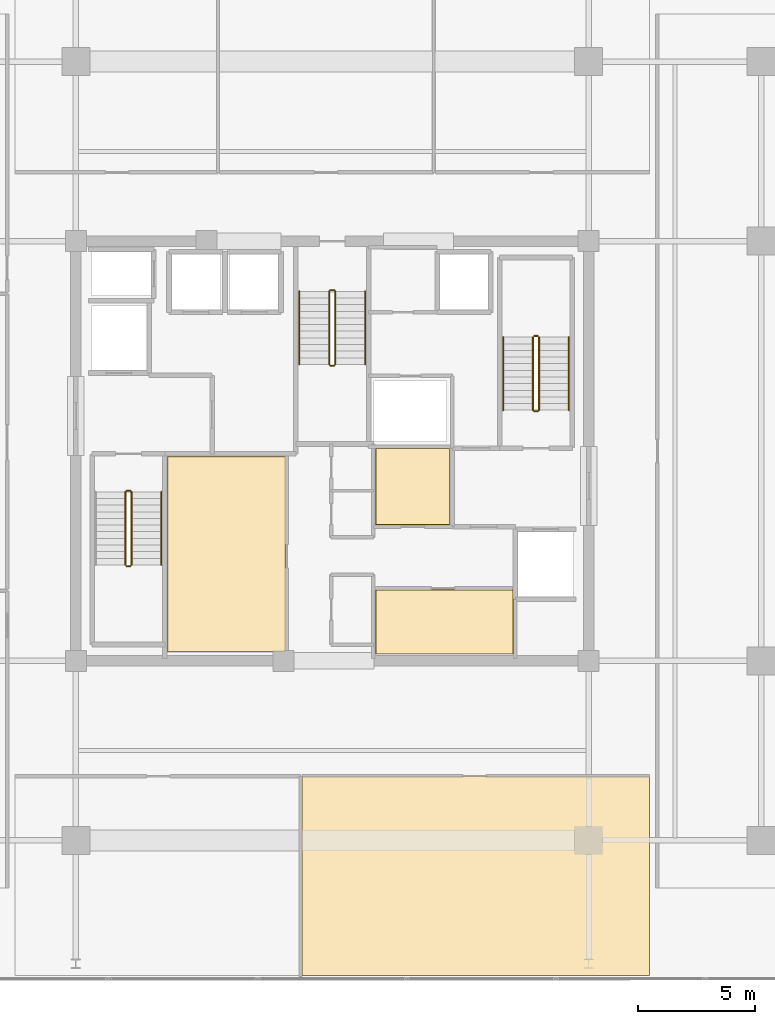
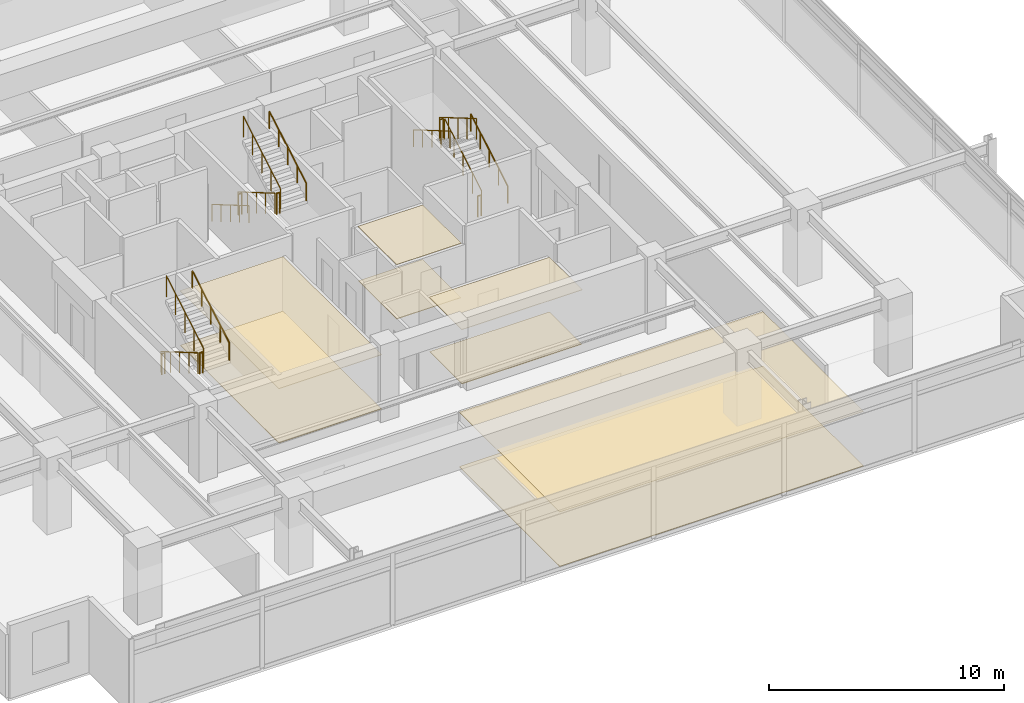
# One storey, part 17 of 18: 17 railings, 8 coverings.
"""IFC4 building model written with IfcOpenShell, lengths in metres."""

import ifcopenshell
import ifcopenshell.guid

model = None  # the IFC model being written
_history = None  # IfcOwnerHistory: only IFC2X3 demands one
_inside = {}  # id of a spatial element -> (the spatial element, [elements in it])
_under = {}  # id of a project, library or spatial element -> (it, [spatial elements below it])
_declared = {}  # id of a project -> (the project, [libraries it declares])
_typed = {}  # id of a type object -> (the type object, [elements of that type])
_made_of = {}  # id of a material, layer set ... -> (it, [elements and type objects made of it])


def new_model(schema):
    """Start an empty IFC model of exactly this schema.

    Asked for "IFC4X3", IfcOpenShell would pick the latest addendum, in which some entities
    have other attributes; the version numbers below select the first issue.
    IFC2X3 requires an IfcOwnerHistory on every rooted entity: one is made here for all.
    """
    global model, _history
    if schema == "IFC4X3":
        model = ifcopenshell.file(schema_version=(4, 3, 0, 0))
    else:
        model = ifcopenshell.file(schema=schema)
    _inside.clear()
    _under.clear()
    _declared.clear()
    _typed.clear()
    _made_of.clear()
    _history = None
    if model.schema == "IFC2X3":
        org = make("IfcOrganization", Name="unknown")
        user = make(
            "IfcPersonAndOrganization",
            ThePerson=make("IfcPerson", FamilyName="unknown"),
            TheOrganization=org,
        )
        app = make(
            "IfcApplication",
            ApplicationDeveloper=org,
            Version="unknown",
            ApplicationFullName="unknown",
            ApplicationIdentifier="unknown",
        )
        _history = make(
            "IfcOwnerHistory",
            OwningUser=user,
            OwningApplication=app,
            ChangeAction="ADDED",
            CreationDate=0,
        )
    return model


def make(cls, **values):
    """One entity of the class cls with the attributes given. An attribute that is None is left unset."""
    return model.create_entity(
        cls, **{name: value for name, value in values.items() if value is not None}
    )


def rooted(cls, **values):
    """An entity with a GlobalId (a new one), such as an element, a storey or a relation."""
    return make(cls, GlobalId=ifcopenshell.guid.new(), OwnerHistory=_history, **values)


def si_unit(unit_type, name, prefix=None):
    """IfcSIUnit, for example si_unit("LENGTHUNIT", "METRE", prefix="MILLI")."""
    return make("IfcSIUnit", UnitType=unit_type, Prefix=prefix, Name=name)


def assignment(units):
    """IfcUnitAssignment: the units of a project."""
    return None if units is None else make("IfcUnitAssignment", Units=units)


def point(xyz):
    """IfcCartesianPoint."""
    return None if xyz is None else make("IfcCartesianPoint", Coordinates=xyz)


def direction(xyz):
    """IfcDirection."""
    return None if xyz is None else make("IfcDirection", DirectionRatios=xyz)


def frame(location, z_axis=None, x_axis=None):
    """IfcAxis2Placement3D, a coordinate frame: its origin and axes. An axis left out is left unset."""
    return make(
        "IfcAxis2Placement3D",
        Location=point(location),
        Axis=direction(z_axis),
        RefDirection=direction(x_axis),
    )


def frame_2d(location, x_axis=None):
    """IfcAxis2Placement2D, a coordinate frame in the plane: its origin and x axis."""
    return make(
        "IfcAxis2Placement2D", Location=point(location), RefDirection=direction(x_axis)
    )


def origin():
    """The frame at (0, 0, 0) with its axes left unset."""
    return frame((0.0, 0.0, 0.0))


def origin_2d():
    """The frame at (0, 0) in the plane with its x axis left unset."""
    return frame_2d((0.0, 0.0))


def place(relative_to, where):
    """IfcLocalPlacement: puts the frame where relative to a parent placement (None: the world)."""
    return make(
        "IfcLocalPlacement", PlacementRelTo=relative_to, RelativePlacement=where
    )


def context(
    kind, dimensions, precision=None, world=None, true_north=None, identifier=None
):
    """IfcGeometricRepresentationContext, for example the 3D "Model" context."""
    return make(
        "IfcGeometricRepresentationContext",
        ContextIdentifier=identifier,
        ContextType=kind,
        CoordinateSpaceDimension=dimensions,
        Precision=precision,
        WorldCoordinateSystem=world,
        TrueNorth=true_north,
    )


def subcontext(parent, identifier, kind, view, scale=None):
    """IfcGeometricRepresentationSubContext, for example "Body" below "Model"."""
    return make(
        "IfcGeometricRepresentationSubContext",
        ContextIdentifier=identifier,
        ContextType=kind,
        ParentContext=parent,
        TargetScale=scale,
        TargetView=view,
    )


def project(units=None, contexts=None):
    """IfcProject with its units and contexts."""
    return rooted(
        "IfcProject",
        Name="project",
        RepresentationContexts=contexts,
        UnitsInContext=assignment(units),
    )


def spatial(cls, under=None, at=None, **own):
    """A site, building, storey or space (cls), placed at a placement, below another one or the project."""
    s = rooted(cls, ObjectPlacement=at, **own)
    if under is not None:
        _under.setdefault(under.id(), (under, []))[1].append(s)
    return s


def polyline(points):
    """IfcPolyline through the points."""
    return make("IfcPolyline", Points=[point(p) for p in points])


def profile(cls, at=None, kind="AREA", **sizes):
    """A parametric profile (cls). Its sizes go by their IFC names, for example OverallWidth=200.0."""
    return make(cls, ProfileType=kind, Position=at, **sizes)


def circle(**sizes):
    """IfcCircleProfileDef."""
    return profile("IfcCircleProfileDef", **sizes)


def outline(outer, holes=None, kind="AREA"):
    """IfcArbitraryClosedProfileDef: a profile drawn as a closed curve; with holes, ...WithVoids."""
    if holes is None:
        return make("IfcArbitraryClosedProfileDef", ProfileType=kind, OuterCurve=outer)
    return make(
        "IfcArbitraryProfileDefWithVoids",
        ProfileType=kind,
        OuterCurve=outer,
        InnerCurves=holes,
    )


def extrude(swept, where, along, depth):
    """IfcExtrudedAreaSolid: the profile swept, set in the frame where, extruded along a direction by depth."""
    return make(
        "IfcExtrudedAreaSolid",
        SweptArea=swept,
        Position=where,
        ExtrudedDirection=direction(along),
        Depth=depth,
    )


def shape(context_of_items, identifier, shape_type, items):
    """IfcShapeRepresentation: the items that make up one representation, for example the "Body"."""
    return make(
        "IfcShapeRepresentation",
        ContextOfItems=context_of_items,
        RepresentationIdentifier=identifier,
        RepresentationType=shape_type,
        Items=items,
    )


def material(Name=None, Category=None):
    """IfcMaterial."""
    return make("IfcMaterial", Name=Name, Category=Category)


def layer(
    of_material, thickness, ventilated=None, Name=None, Category=None, Priority=None
):
    """IfcMaterialLayer: one layer of a wall or slab, of a material (None: an air gap)."""
    return make(
        "IfcMaterialLayer",
        Material=of_material,
        LayerThickness=thickness,
        IsVentilated=ventilated,
        Name=Name,
        Category=Category,
        Priority=Priority,
    )


def layer_set(layers, Name=None):
    """IfcMaterialLayerSet."""
    return make("IfcMaterialLayerSet", MaterialLayers=layers, LayerSetName=Name)


def made_of(thing, what):
    """Note that an element or type object is made of a material, layer set ...; save() writes the relation."""
    if what is not None:
        _made_of.setdefault(what.id(), (what, []))[1].append(thing)
    return thing


def type_object(cls, material=None, **own):
    """A type object (cls), such as IfcWallType, which elements share."""
    return made_of(rooted(cls, **own), material)


def element(
    cls,
    number,
    at=None,
    inside=None,
    cuts=None,
    type_object=None,
    material=None,
    context=None,
    identifier="Body",
    shape_type=None,
    held_by="IfcProductDefinitionShape",
    body=None,
    shapes=None,
    **own,
):
    """One element of the class cls, such as IfcWall. Its Tag is "e" and its number.

    at: its placement. inside: the storey or other place that contains it. cuts: it is an
    opening in that element (IfcRelVoidsElement). A single representation is given by context,
    identifier, shape_type and body (its items); several are given by shapes. held_by: the class
    of the entity that holds the representations. save() writes the other relations.
    """
    e = rooted(cls, Tag="e%d" % number, ObjectPlacement=at, **own)
    if body is not None:
        shapes = [shape(context, identifier, shape_type, body)]
    if shapes is not None:
        e.Representation = make(held_by, Representations=shapes)
    if inside is not None:
        _inside.setdefault(inside.id(), (inside, []))[1].append(e)
    if cuts is not None:
        rooted(
            "IfcRelVoidsElement", RelatingBuildingElement=cuts, RelatedOpeningElement=e
        )
    if type_object is not None:
        _typed.setdefault(type_object.id(), (type_object, []))[1].append(e)
    return made_of(e, material)


def aggregate(whole, parts):
    """IfcRelAggregates: a whole, such as a stair, and the parts it consists of."""
    return rooted("IfcRelAggregates", RelatingObject=whole, RelatedObjects=parts)


def save(model, path):
    """Write the relations noted so far, then the file.

    IfcRelAggregates (storeys below a building ...), IfcRelContainedInSpatialStructure (elements
    in a storey), IfcRelDefinesByType, IfcRelAssociatesMaterial and IfcRelDeclares: one each for
    every whole, place, type object, material and project.
    """
    for whole, parts in _under.values():
        aggregate(whole, parts)
    for where, things in _inside.values():
        rooted(
            "IfcRelContainedInSpatialStructure",
            RelatedElements=things,
            RelatingStructure=where,
        )
    for kind, things in _typed.values():
        rooted("IfcRelDefinesByType", RelatedObjects=things, RelatingType=kind)
    for what, things in _made_of.values():
        rooted("IfcRelAssociatesMaterial", RelatedObjects=things, RelatingMaterial=what)
    for by, libraries in _declared.values():
        rooted("IfcRelDeclares", RelatingContext=by, RelatedDefinitions=libraries)
    model.write(path)


model = new_model("IFC4")

# Units and contexts
model_context = context("Model", 3, precision=1e-05, world=origin(), true_north=direction((0.0, 1.0)))
body_context = subcontext(model_context, "Body", "Model", "MODEL_VIEW")
ifc_project = project(units=[si_unit("LENGTHUNIT", "METRE"), si_unit("AREAUNIT", "SQUARE_METRE"), si_unit("VOLUMEUNIT", "CUBIC_METRE"), si_unit("PLANEANGLEUNIT", "RADIAN"), si_unit("MASSUNIT", "GRAM", prefix="KILO")], contexts=[model_context])

# Site, building, storey
site_placement = place(None, origin())
site = spatial("IfcSite", under=ifc_project, at=site_placement, CompositionType="ELEMENT")
building_placement = place(site_placement, origin())
building = spatial("IfcBuilding", under=site, at=building_placement, Name="Kovane Verandah Tower", CompositionType="ELEMENT")
storey_placement = place(building_placement, frame((0.0, 0.0, 251.199951171875)))
storey = spatial("IfcBuildingStorey", under=building, at=storey_placement, Name="L58", CompositionType="ELEMENT", Elevation=251.199951171875)

# Coverings
ifc_material_1 = material(Name="Perforated Acoustic Mineral-Fibre Ceiling Tile", Category="gypsum")
ifc_layer_1 = layer(ifc_material_1, 0.02490234375)
ifc_layer_set_1 = layer_set([ifc_layer_1], Name="Perforated Acoustic Mineral-Fibre Ceiling Tile")
covering_type_1 = type_object("IfcCoveringType", Name="CV-CEIL-25", PredefinedType="CEILING", material=ifc_layer_set_1)
covering_1_placement = place(storey_placement, frame((0.0, 0.0, 2.824951171875)))
element("IfcCovering", 1, at=covering_1_placement, inside=storey, type_object=covering_type_1, Name="L58 Tenant Wellness and Archive Suite Acoustic Ceiling", PredefinedType="CEILING", context=body_context, shape_type="SweptSolid", body=[
    extrude(outline(polyline([(32.93505859375, 18.885009765625), (37.9951171875, 18.885009765625), (37.9951171875, 27.264892578125), (32.93505859375, 27.264892578125), (32.93505859375, 18.885009765625)])), origin(), (0.0, 0.0, 1.0), 0.025146484375),
])
covering_2_placement = place(storey_placement, frame((0.0, 0.0, 2.824951171875)))
element("IfcCovering", 2, at=covering_2_placement, inside=storey, type_object=covering_type_1, Name="L58 Records Vault Room Acoustic Ceiling", PredefinedType="CEILING", context=body_context, shape_type="SweptSolid", body=[
    extrude(outline(polyline([(41.864990234375, 18.784912109375), (47.764892578125, 18.784912109375), (47.764892578125, 21.56494140625), (41.864990234375, 21.56494140625), (41.864990234375, 18.784912109375)])), origin(), (0.0, 0.0, 1.0), 0.025146484375),
])
covering_3_placement = place(storey_placement, frame((0.0, 0.0, 2.824951171875)))
element("IfcCovering", 3, at=covering_3_placement, inside=storey, type_object=covering_type_1, Name="L58 Document Archive Room Acoustic Ceiling", PredefinedType="CEILING", context=body_context, shape_type="SweptSolid", body=[
    extrude(outline(polyline([(41.864990234375, 24.3349609375), (45.034912109375, 24.3349609375), (45.034912109375, 27.614990234375), (41.864990234375, 27.614990234375), (41.864990234375, 24.3349609375)])), origin(), (0.0, 0.0, 1.0), 0.025146484375),
])
covering_4_placement = place(storey_placement, frame((0.0, 0.0, 2.824951171875)))
element("IfcCovering", 4, at=covering_4_placement, inside=storey, type_object=covering_type_1, Name="L58 Open Plan Office S2 Acoustic Ceiling", PredefinedType="CEILING", context=body_context, shape_type="SweptSolid", body=[
    extrude(outline(polyline([(38.7099609375, 5.012451171875), (53.60009765625, 5.012451171875), (53.60009765625, 13.550048828125), (38.7099609375, 13.550048828125), (38.7099609375, 5.012451171875)])), origin(), (0.0, 0.0, 1.0), 0.025146484375),
])
ifc_material_2 = material(Name="Polished Terrazzo and Raised-Access Carpet Tile Finish", Category="concrete")
ifc_layer_2 = layer(ifc_material_2, 0.030029296875)
ifc_layer_set_2 = layer_set([ifc_layer_2], Name="Polished Terrazzo and Raised-Access Carpet Tile Finish")
covering_type_2 = type_object("IfcCoveringType", Name="CV-FLOR-30", PredefinedType="FLOORING", material=ifc_layer_set_2)
covering_5_placement = place(storey_placement, origin())
element("IfcCovering", 5, at=covering_5_placement, inside=storey, type_object=covering_type_2, Name="L58 Tenant Wellness and Archive Suite Floor Finish", PredefinedType="FLOORING", context=body_context, shape_type="SweptSolid", body=[
    extrude(outline(polyline([(32.949951171875, 18.89990234375), (37.97998046875, 18.89990234375), (37.97998046875, 27.25), (32.949951171875, 27.25), (32.949951171875, 18.89990234375)])), origin(), (0.0, 0.0, 1.0), 0.030029296875),
])
covering_6_placement = place(storey_placement, origin())
element("IfcCovering", 6, at=covering_6_placement, inside=storey, type_object=covering_type_2, Name="L58 Records Vault Room Floor Finish", PredefinedType="FLOORING", context=body_context, shape_type="SweptSolid", body=[
    extrude(outline(polyline([(41.8798828125, 18.800048828125), (47.75, 18.800048828125), (47.75, 21.550048828125), (41.8798828125, 21.550048828125), (41.8798828125, 18.800048828125)])), origin(), (0.0, 0.0, 1.0), 0.030029296875),
])
covering_7_placement = place(storey_placement, origin())
element("IfcCovering", 7, at=covering_7_placement, inside=storey, type_object=covering_type_2, Name="L58 Document Archive Room Floor Finish", PredefinedType="FLOORING", context=body_context, shape_type="SweptSolid", body=[
    extrude(outline(polyline([(41.8798828125, 24.35009765625), (45.02001953125, 24.35009765625), (45.02001953125, 27.60009765625), (41.8798828125, 27.60009765625), (41.8798828125, 24.35009765625)])), origin(), (0.0, 0.0, 1.0), 0.030029296875),
])
covering_8_placement = place(storey_placement, origin())
element("IfcCovering", 8, at=covering_8_placement, inside=storey, type_object=covering_type_2, Name="L58 Open Plan Office S2 Floor Finish", PredefinedType="FLOORING", context=body_context, shape_type="SweptSolid", body=[
    extrude(outline(polyline([(38.7099609375, 5.012451171875), (53.60009765625, 5.012451171875), (53.60009765625, 13.550048828125), (38.7099609375, 13.550048828125), (38.7099609375, 5.012451171875)])), origin(), (0.0, 0.0, 1.0), 0.030029296875),
])

# Railings
ifc_material_3 = material(Name="Brushed Stainless Steel Handrail", Category="steel")
railing_type_1 = type_object("IfcRailingType", Name="RL-HAND-920", PredefinedType="HANDRAIL", material=ifc_material_3)
for number, where, name in (
    (9, (32.669921875, 22.614990234375, 2.166748046875), "L58 ST-01 stair handrail 2"),
    (10, (50.14990234375, 29.25, 0.166748046875), "L58 ST-02 stair handrail 1"),
):
    element("IfcRailing", number, at=place(storey_placement, frame(where)), inside=storey, type_object=railing_type_1, Name=name, PredefinedType="HANDRAIL", context=body_context, shape_type="SweptSolid", body=[
        extrude(circle(Radius=0.02392578125, at=origin_2d()), frame((0.0, 0.0, 0.8759765625), z_axis=(0.0, 0.863239559939, 0.504794475164), x_axis=(-1.0, 0.0, 0.0)), (0.0, 0.0, 1.0), 3.631591796875),
        extrude(circle(Radius=0.02099609375, at=origin_2d()), origin(), (0.0, 0.0, 1.0), 0.851806640625),
        extrude(circle(Radius=0.02099609375, at=origin_2d()), frame((0.0, 0.78369140625, 0.458251953125)), (0.0, 0.0, 1.0), 0.851806640625),
        extrude(circle(Radius=0.02099609375, at=origin_2d()), frame((0.0, 1.5673828125, 0.91650390625)), (0.0, 0.0, 1.0), 0.851806640625),
        extrude(circle(Radius=0.02099609375, at=origin_2d()), frame((0.0, 2.351318359375, 1.375)), (0.0, 0.0, 1.0), 0.851806640625),
        extrude(circle(Radius=0.02099609375, at=origin_2d()), frame((0.0, 3.135009765625, 1.833251953125)), (0.0, 0.0, 1.0), 0.851806640625),
    ])
for number, where, name in (
    (11, (47.330078125, 32.385009765625, 2.166748046875), "L58 ST-02 stair handrail 2"),
    (12, (38.590087890625, 34.35009765625, 0.166748046875), "L58 ST-03 stair handrail 1"),
):
    element("IfcRailing", number, at=place(storey_placement, frame(where)), inside=storey, type_object=railing_type_1, Name=name, PredefinedType="HANDRAIL", context=body_context, shape_type="SweptSolid", body=[
        extrude(circle(Radius=0.02392578125, at=origin_2d()), frame((0.0, 0.0, 0.8759765625), z_axis=(0.0, -0.863239559939, 0.504794475164), x_axis=(1.0, 0.0, 0.0)), (0.0, 0.0, 1.0), 3.631591796875),
        extrude(circle(Radius=0.02099609375, at=origin_2d()), origin(), (0.0, 0.0, 1.0), 0.851806640625),
        extrude(circle(Radius=0.02099609375, at=origin_2d()), frame((0.0, -0.78369140625, 0.458251953125)), (0.0, 0.0, 1.0), 0.851806640625),
        extrude(circle(Radius=0.02099609375, at=origin_2d()), frame((0.0, -1.5673828125, 0.91650390625)), (0.0, 0.0, 1.0), 0.851806640625),
        extrude(circle(Radius=0.02099609375, at=origin_2d()), frame((0.0, -2.351318359375, 1.375)), (0.0, 0.0, 1.0), 0.851806640625),
        extrude(circle(Radius=0.02099609375, at=origin_2d()), frame((0.0, -3.135009765625, 1.833251953125)), (0.0, 0.0, 1.0), 0.851806640625),
    ])
railing_1_placement = place(storey_placement, frame((41.409912109375, 31.215087890625, 2.166748046875)))
element("IfcRailing", 13, at=railing_1_placement, inside=storey, type_object=railing_type_1, Name="L58 ST-03 stair handrail 2", PredefinedType="HANDRAIL", context=body_context, shape_type="SweptSolid", body=[
    extrude(circle(Radius=0.02392578125, at=origin_2d()), frame((0.0, 0.0, 0.8759765625), z_axis=(0.0, 0.863239559939, 0.504794475164), x_axis=(-1.0, 0.0, 0.0)), (0.0, 0.0, 1.0), 3.631591796875),
    extrude(circle(Radius=0.02099609375, at=origin_2d()), origin(), (0.0, 0.0, 1.0), 0.851806640625),
    extrude(circle(Radius=0.02099609375, at=origin_2d()), frame((0.0, 0.78369140625, 0.458251953125)), (0.0, 0.0, 1.0), 0.851806640625),
    extrude(circle(Radius=0.02099609375, at=origin_2d()), frame((0.0, 1.5673828125, 0.91650390625)), (0.0, 0.0, 1.0), 0.851806640625),
    extrude(circle(Radius=0.02099609375, at=origin_2d()), frame((0.0, 2.351318359375, 1.375)), (0.0, 0.0, 1.0), 0.851806640625),
    extrude(circle(Radius=0.02099609375, at=origin_2d()), frame((0.0, 3.135009765625, 1.833251953125)), (0.0, 0.0, 1.0), 0.851806640625),
])
ifc_material_4 = material(Name="Painted Steel Stairwell Guardrail", Category="steel")
railing_type_2 = type_object("IfcRailingType", Name="RL-STGUARD-1120", PredefinedType="GUARDRAIL", material=ifc_material_4)
railing_2_placement = place(storey_placement, frame((31.1298828125, 25.75, 0.166748046875)))
element("IfcRailing", 14, at=railing_2_placement, inside=storey, type_object=railing_type_2, Name="L58 ST-01 stair guard 1", PredefinedType="GUARDRAIL", context=body_context, shape_type="SweptSolid", body=[
    extrude(circle(Radius=0.02392578125, at=origin_2d()), frame((0.0, 0.0, 1.076171875), z_axis=(0.0, -0.863239559939, 0.504794475164), x_axis=(1.0, 0.0, 0.0)), (0.0, 0.0, 1.0), 3.631591796875),
    extrude(circle(Radius=0.02099609375, at=origin_2d()), origin(), (0.0, 0.0, 1.0), 1.052001953125),
    extrude(circle(Radius=0.02099609375, at=origin_2d()), frame((0.0, -0.78369140625, 0.458251953125)), (0.0, 0.0, 1.0), 1.052001953125),
    extrude(circle(Radius=0.02099609375, at=origin_2d()), frame((0.0, -1.5673828125, 0.91650390625)), (0.0, 0.0, 1.0), 1.052001953125),
    extrude(circle(Radius=0.02099609375, at=origin_2d()), frame((0.0, -2.351318359375, 1.375)), (0.0, 0.0, 1.0), 1.052001953125),
    extrude(circle(Radius=0.02099609375, at=origin_2d()), frame((0.0, -3.135009765625, 1.833251953125)), (0.0, 0.0, 1.0), 1.052001953125),
])
railing_3_placement = place(storey_placement, frame((31.179931640625, 22.56494140625, 2.0)))
element("IfcRailing", 15, at=railing_3_placement, inside=storey, type_object=railing_type_2, Name="L58 ST-01 stair guard 2", PredefinedType="GUARDRAIL", context=body_context, shape_type="SweptSolid", body=[
    extrude(circle(Radius=0.02392578125, at=origin_2d()), frame((0.0, 0.0, 1.076171875), z_axis=(1.0, 0.0, 0.0), x_axis=(0.0, 1.0, 0.0)), (0.0, 0.0, 1.0), 0.16015625),
    extrude(circle(Radius=0.02099609375, at=origin_2d()), origin(), (0.0, 0.0, 1.0), 1.052001953125),
    extrude(circle(Radius=0.02099609375, at=origin_2d()), frame((0.16015625, 0.0, 0.0)), (0.0, 0.0, 1.0), 1.052001953125),
])
railing_4_placement = place(storey_placement, frame((31.389892578125, 22.614990234375, 2.166748046875)))
element("IfcRailing", 16, at=railing_4_placement, inside=storey, type_object=railing_type_2, Name="L58 ST-01 stair guard 3", PredefinedType="GUARDRAIL", context=body_context, shape_type="SweptSolid", body=[
    extrude(circle(Radius=0.02392578125, at=origin_2d()), frame((0.0, 0.0, 1.076171875), z_axis=(0.0, 0.863239559939, 0.504794475164), x_axis=(-1.0, 0.0, 0.0)), (0.0, 0.0, 1.0), 3.631591796875),
    extrude(circle(Radius=0.02099609375, at=origin_2d()), origin(), (0.0, 0.0, 1.0), 1.052001953125),
    extrude(circle(Radius=0.02099609375, at=origin_2d()), frame((0.0, 0.78369140625, 0.458251953125)), (0.0, 0.0, 1.0), 1.052001953125),
    extrude(circle(Radius=0.02099609375, at=origin_2d()), frame((0.0, 1.5673828125, 0.91650390625)), (0.0, 0.0, 1.0), 1.052001953125),
    extrude(circle(Radius=0.02099609375, at=origin_2d()), frame((0.0, 2.351318359375, 1.375)), (0.0, 0.0, 1.0), 1.052001953125),
    extrude(circle(Radius=0.02099609375, at=origin_2d()), frame((0.0, 3.135009765625, 1.833251953125)), (0.0, 0.0, 1.0), 1.052001953125),
])
railing_5_placement = place(storey_placement, frame((31.179931640625, 25.800048828125, 0.0)))
element("IfcRailing", 17, at=railing_5_placement, inside=storey, type_object=railing_type_2, Name="L58 ST-01 stair guard 4", PredefinedType="GUARDRAIL", context=body_context, shape_type="SweptSolid", body=[
    extrude(circle(Radius=0.02392578125, at=origin_2d()), frame((0.0, 0.0, 1.076171875), z_axis=(1.0, 0.0, 0.0), x_axis=(0.0, 1.0, 0.0)), (0.0, 0.0, 1.0), 0.16015625),
    extrude(circle(Radius=0.02099609375, at=origin_2d()), origin(), (0.0, 0.0, 1.0), 1.052001953125),
    extrude(circle(Radius=0.02099609375, at=origin_2d()), frame((0.16015625, 0.0, 0.0)), (0.0, 0.0, 1.0), 1.052001953125),
])
railing_6_placement = place(storey_placement, frame((48.8701171875, 29.25, 0.166748046875)))
element("IfcRailing", 18, at=railing_6_placement, inside=storey, type_object=railing_type_2, Name="L58 ST-02 stair guard 1", PredefinedType="GUARDRAIL", context=body_context, shape_type="SweptSolid", body=[
    extrude(circle(Radius=0.02392578125, at=origin_2d()), frame((0.0, 0.0, 1.076171875), z_axis=(0.0, 0.863239559939, 0.504794475164), x_axis=(-1.0, 0.0, 0.0)), (0.0, 0.0, 1.0), 3.631591796875),
    extrude(circle(Radius=0.02099609375, at=origin_2d()), origin(), (0.0, 0.0, 1.0), 1.052001953125),
    extrude(circle(Radius=0.02099609375, at=origin_2d()), frame((0.0, 0.78369140625, 0.458251953125)), (0.0, 0.0, 1.0), 1.052001953125),
    extrude(circle(Radius=0.02099609375, at=origin_2d()), frame((0.0, 1.5673828125, 0.91650390625)), (0.0, 0.0, 1.0), 1.052001953125),
    extrude(circle(Radius=0.02099609375, at=origin_2d()), frame((0.0, 2.351318359375, 1.375)), (0.0, 0.0, 1.0), 1.052001953125),
    extrude(circle(Radius=0.02099609375, at=origin_2d()), frame((0.0, 3.135009765625, 1.833251953125)), (0.0, 0.0, 1.0), 1.052001953125),
])
railing_7_placement = place(storey_placement, frame((48.820068359375, 32.43505859375, 2.0)))
element("IfcRailing", 19, at=railing_7_placement, inside=storey, type_object=railing_type_2, Name="L58 ST-02 stair guard 2", PredefinedType="GUARDRAIL", context=body_context, shape_type="SweptSolid", body=[
    extrude(circle(Radius=0.02392578125, at=origin_2d()), frame((0.0, 0.0, 1.076171875), z_axis=(-1.0, 0.0, 0.0), x_axis=(0.0, -1.0, 0.0)), (0.0, 0.0, 1.0), 0.16015625),
    extrude(circle(Radius=0.02099609375, at=origin_2d()), origin(), (0.0, 0.0, 1.0), 1.052001953125),
    extrude(circle(Radius=0.02099609375, at=origin_2d()), frame((-0.16015625, 0.0, 0.0)), (0.0, 0.0, 1.0), 1.052001953125),
])
railing_8_placement = place(storey_placement, frame((48.610107421875, 32.385009765625, 2.166748046875)))
element("IfcRailing", 20, at=railing_8_placement, inside=storey, type_object=railing_type_2, Name="L58 ST-02 stair guard 3", PredefinedType="GUARDRAIL", context=body_context, shape_type="SweptSolid", body=[
    extrude(circle(Radius=0.02392578125, at=origin_2d()), frame((0.0, 0.0, 1.076171875), z_axis=(0.0, -0.863239559939, 0.504794475164), x_axis=(1.0, 0.0, 0.0)), (0.0, 0.0, 1.0), 3.631591796875),
    extrude(circle(Radius=0.02099609375, at=origin_2d()), origin(), (0.0, 0.0, 1.0), 1.052001953125),
    extrude(circle(Radius=0.02099609375, at=origin_2d()), frame((0.0, -0.78369140625, 0.458251953125)), (0.0, 0.0, 1.0), 1.052001953125),
    extrude(circle(Radius=0.02099609375, at=origin_2d()), frame((0.0, -1.5673828125, 0.91650390625)), (0.0, 0.0, 1.0), 1.052001953125),
    extrude(circle(Radius=0.02099609375, at=origin_2d()), frame((0.0, -2.351318359375, 1.375)), (0.0, 0.0, 1.0), 1.052001953125),
    extrude(circle(Radius=0.02099609375, at=origin_2d()), frame((0.0, -3.135009765625, 1.833251953125)), (0.0, 0.0, 1.0), 1.052001953125),
])
railing_9_placement = place(storey_placement, frame((48.820068359375, 29.199951171875, 0.0)))
element("IfcRailing", 21, at=railing_9_placement, inside=storey, type_object=railing_type_2, Name="L58 ST-02 stair guard 4", PredefinedType="GUARDRAIL", context=body_context, shape_type="SweptSolid", body=[
    extrude(circle(Radius=0.02392578125, at=origin_2d()), frame((0.0, 0.0, 1.076171875), z_axis=(-1.0, 0.0, 0.0), x_axis=(0.0, -1.0, 0.0)), (0.0, 0.0, 1.0), 0.16015625),
    extrude(circle(Radius=0.02099609375, at=origin_2d()), origin(), (0.0, 0.0, 1.0), 1.052001953125),
    extrude(circle(Radius=0.02099609375, at=origin_2d()), frame((-0.16015625, 0.0, 0.0)), (0.0, 0.0, 1.0), 1.052001953125),
])
railing_10_placement = place(storey_placement, frame((39.8701171875, 34.35009765625, 0.166748046875)))
element("IfcRailing", 22, at=railing_10_placement, inside=storey, type_object=railing_type_2, Name="L58 ST-03 stair guard 1", PredefinedType="GUARDRAIL", context=body_context, shape_type="SweptSolid", body=[
    extrude(circle(Radius=0.02392578125, at=origin_2d()), frame((0.0, 0.0, 1.076171875), z_axis=(0.0, -0.863239559939, 0.504794475164), x_axis=(1.0, 0.0, 0.0)), (0.0, 0.0, 1.0), 3.631591796875),
    extrude(circle(Radius=0.02099609375, at=origin_2d()), origin(), (0.0, 0.0, 1.0), 1.052001953125),
    extrude(circle(Radius=0.02099609375, at=origin_2d()), frame((0.0, -0.78369140625, 0.458251953125)), (0.0, 0.0, 1.0), 1.052001953125),
    extrude(circle(Radius=0.02099609375, at=origin_2d()), frame((0.0, -1.5673828125, 0.91650390625)), (0.0, 0.0, 1.0), 1.052001953125),
    extrude(circle(Radius=0.02099609375, at=origin_2d()), frame((0.0, -2.351318359375, 1.375)), (0.0, 0.0, 1.0), 1.052001953125),
    extrude(circle(Radius=0.02099609375, at=origin_2d()), frame((0.0, -3.135009765625, 1.833251953125)), (0.0, 0.0, 1.0), 1.052001953125),
])
railing_11_placement = place(storey_placement, frame((39.919921875, 31.1650390625, 2.0)))
element("IfcRailing", 23, at=railing_11_placement, inside=storey, type_object=railing_type_2, Name="L58 ST-03 stair guard 2", PredefinedType="GUARDRAIL", context=body_context, shape_type="SweptSolid", body=[
    extrude(circle(Radius=0.02392578125, at=origin_2d()), frame((0.0, 0.0, 1.076171875), z_axis=(1.0, 0.0, 0.0), x_axis=(0.0, 1.0, 0.0)), (0.0, 0.0, 1.0), 0.16015625),
    extrude(circle(Radius=0.02099609375, at=origin_2d()), origin(), (0.0, 0.0, 1.0), 1.052001953125),
    extrude(circle(Radius=0.02099609375, at=origin_2d()), frame((0.16015625, 0.0, 0.0)), (0.0, 0.0, 1.0), 1.052001953125),
])
railing_12_placement = place(storey_placement, frame((40.1298828125, 31.215087890625, 2.166748046875)))
element("IfcRailing", 24, at=railing_12_placement, inside=storey, type_object=railing_type_2, Name="L58 ST-03 stair guard 3", PredefinedType="GUARDRAIL", context=body_context, shape_type="SweptSolid", body=[
    extrude(circle(Radius=0.02392578125, at=origin_2d()), frame((0.0, 0.0, 1.076171875), z_axis=(0.0, 0.863239559939, 0.504794475164), x_axis=(-1.0, 0.0, 0.0)), (0.0, 0.0, 1.0), 3.631591796875),
    extrude(circle(Radius=0.02099609375, at=origin_2d()), origin(), (0.0, 0.0, 1.0), 1.052001953125),
    extrude(circle(Radius=0.02099609375, at=origin_2d()), frame((0.0, 0.78369140625, 0.458251953125)), (0.0, 0.0, 1.0), 1.052001953125),
    extrude(circle(Radius=0.02099609375, at=origin_2d()), frame((0.0, 1.5673828125, 0.91650390625)), (0.0, 0.0, 1.0), 1.052001953125),
    extrude(circle(Radius=0.02099609375, at=origin_2d()), frame((0.0, 2.351318359375, 1.375)), (0.0, 0.0, 1.0), 1.052001953125),
    extrude(circle(Radius=0.02099609375, at=origin_2d()), frame((0.0, 3.135009765625, 1.833251953125)), (0.0, 0.0, 1.0), 1.052001953125),
])
railing_13_placement = place(storey_placement, frame((39.919921875, 34.39990234375, 0.0)))
element("IfcRailing", 25, at=railing_13_placement, inside=storey, type_object=railing_type_2, Name="L58 ST-03 stair guard 4", PredefinedType="GUARDRAIL", context=body_context, shape_type="SweptSolid", body=[
    extrude(circle(Radius=0.02392578125, at=origin_2d()), frame((0.0, 0.0, 1.076171875), z_axis=(1.0, 0.0, 0.0), x_axis=(0.0, 1.0, 0.0)), (0.0, 0.0, 1.0), 0.16015625),
    extrude(circle(Radius=0.02099609375, at=origin_2d()), origin(), (0.0, 0.0, 1.0), 1.052001953125),
    extrude(circle(Radius=0.02099609375, at=origin_2d()), frame((0.16015625, 0.0, 0.0)), (0.0, 0.0, 1.0), 1.052001953125),
])

save(model, "model.ifc")
